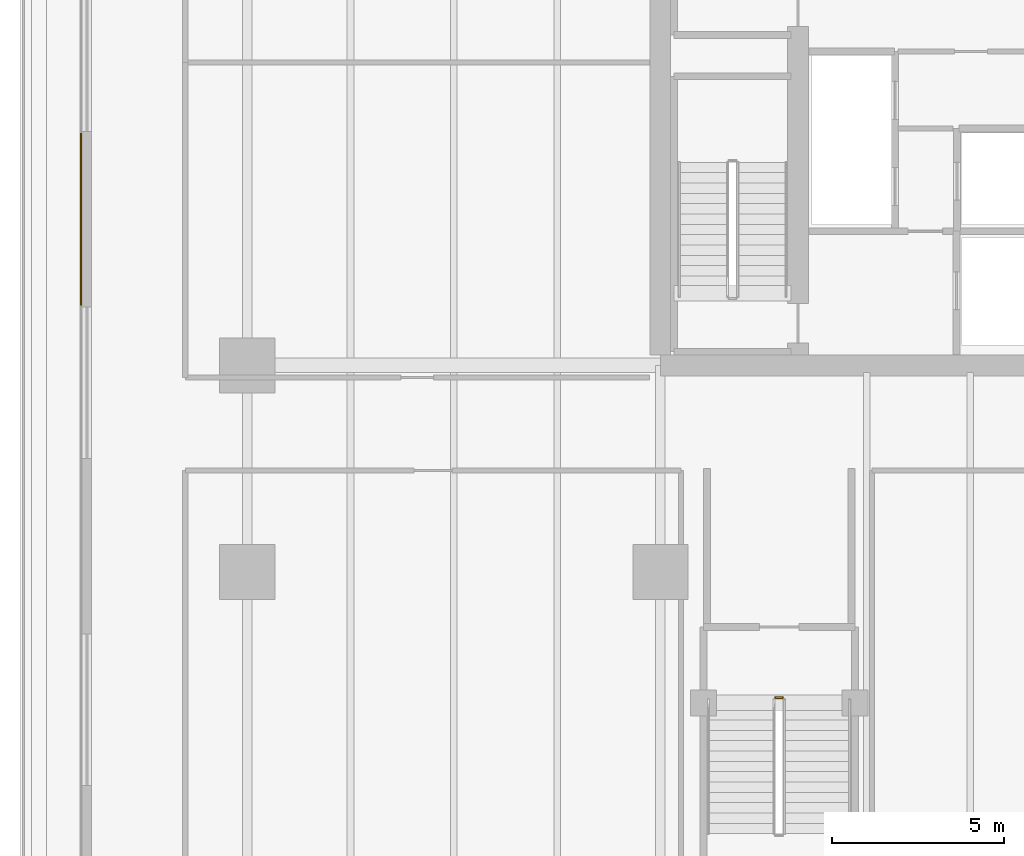
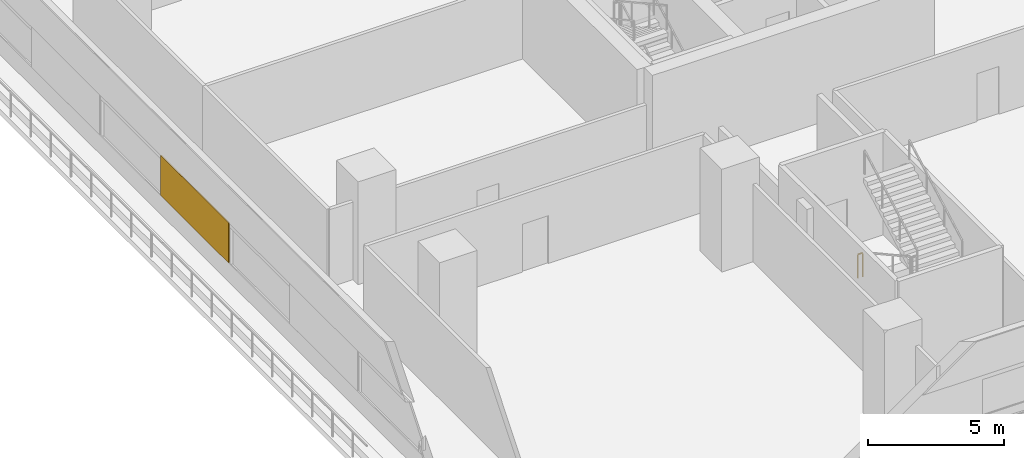
# One storey, part 13 of 27: 1 covering, 1 railing.
"""IFC4 building model written with IfcOpenShell, lengths in metres."""

from ifc_helpers import new_model, si_unit, direction, frame, origin, origin_2d, place, context, subcontext, project, spatial, rectangle, extrude, material, layer, layer_set, type_object, element, save


model = new_model("IFC4")

# Units and contexts
model_context = context("Model", 3, precision=1e-05, world=origin(), true_north=direction((0.0, 1.0)))
body_context = subcontext(model_context, "Body", "Model", "MODEL_VIEW")
ifc_project = project(units=[si_unit("LENGTHUNIT", "METRE"), si_unit("AREAUNIT", "SQUARE_METRE"), si_unit("VOLUMEUNIT", "CUBIC_METRE"), si_unit("PLANEANGLEUNIT", "RADIAN"), si_unit("MASSUNIT", "GRAM", prefix="KILO")], contexts=[model_context])

# Site, building, storey
site_placement = place(None, origin())
site = spatial("IfcSite", under=ifc_project, at=site_placement, CompositionType="ELEMENT")
building_placement = place(site_placement, origin())
building = spatial("IfcBuilding", under=site, at=building_placement, Name="Tanjung Sevakor Pilgrim Tower", CompositionType="ELEMENT")
storey_placement = place(building_placement, frame((0.0, 0.0, 19.469970703125)))
storey = spatial("IfcBuildingStorey", under=building, at=storey_placement, Name="L05", CompositionType="ELEMENT", Elevation=19.469970703125)

# Covering
ifc_material_1 = material(Name="Reconstructed Limestone Cladding", Category="masonry")
ifc_layer = layer(ifc_material_1, 0.044921875)
ifc_layer_set = layer_set([ifc_layer], Name="COV-CLAD-LIMESTONE")
covering_type = type_object("IfcCoveringType", Name="COV-CLAD-LIMESTONE", PredefinedType="CLADDING", material=ifc_layer_set)
covering_placement = place(storey_placement, frame((7.177490234375, 28.85009765625, 0.85009765625), z_axis=(0.0, 0.0, 1.0), x_axis=(0.0, -1.0, 0.0)))
element("IfcCovering", 1, at=covering_placement, inside=storey, type_object=covering_type, Name="L05 Warm Limestone Pier Panel EW-L05-MAIN-7-4", PredefinedType="CLADDING", context=body_context, shape_type="SweptSolid", body=[
    extrude(rectangle(XDim=5.0, YDim=0.044921875, at=origin_2d()), origin(), (0.0, 0.0, 1.0), 1.81005859375),
])

# Railing
ifc_material_2 = material(Name="Steel S355J2", Category="steel")
railing_type = type_object("IfcRailingType", Name="RL-STAIR-GUARD", PredefinedType="GUARDRAIL", material=ifc_material_2)
railing_placement = place(storey_placement, frame((27.35009765625, 14.949951171875, 0.0)))
element("IfcRailing", 2, at=railing_placement, inside=storey, type_object=railing_type, Name="L05 PS-1 stair guard 4", PredefinedType="GUARDRAIL", context=body_context, shape_type="SweptSolid", body=[
    extrude(rectangle(XDim=0.0479, YDim=0.0479), frame((0.0, 0.0, 1.076171875), z_axis=(1.0, 0.0, 0.0), x_axis=(0.0, 1.0, 0.0)), (0.0, 0.0, 1.0), 0.199951171875),
    extrude(rectangle(XDim=0.042, YDim=0.042), origin(), (0.0, 0.0, 1.0), 1.052001953125),
    extrude(rectangle(XDim=0.042, YDim=0.042), frame((0.199951171875, 0.0, 0.0)), (0.0, 0.0, 1.0), 1.052001953125),
])

save(model, "model.ifc")
